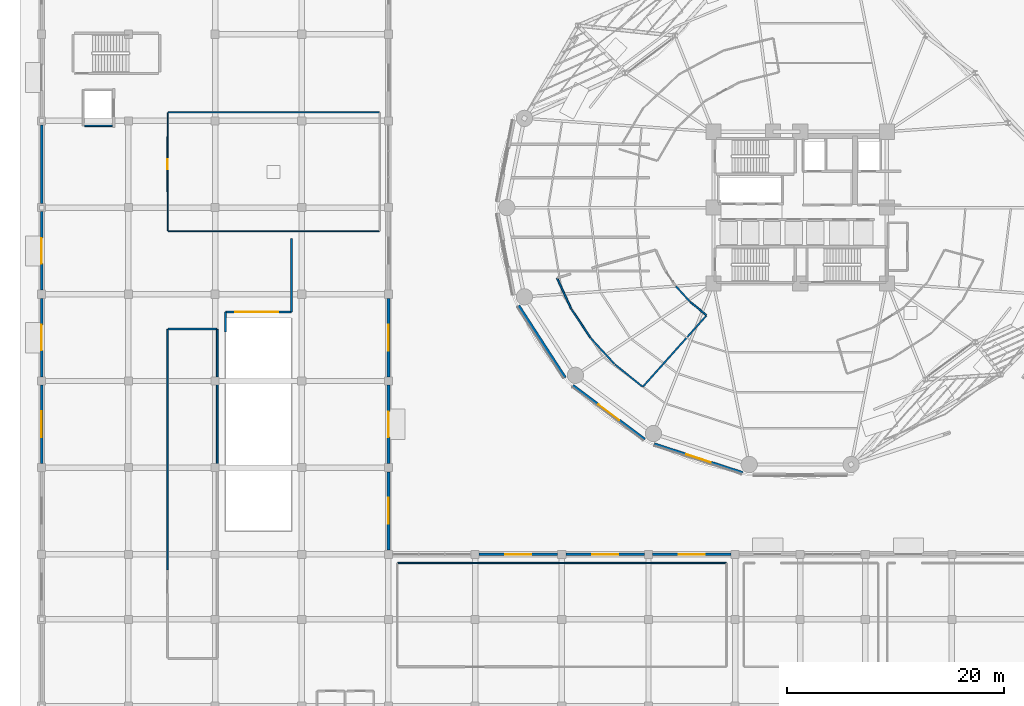
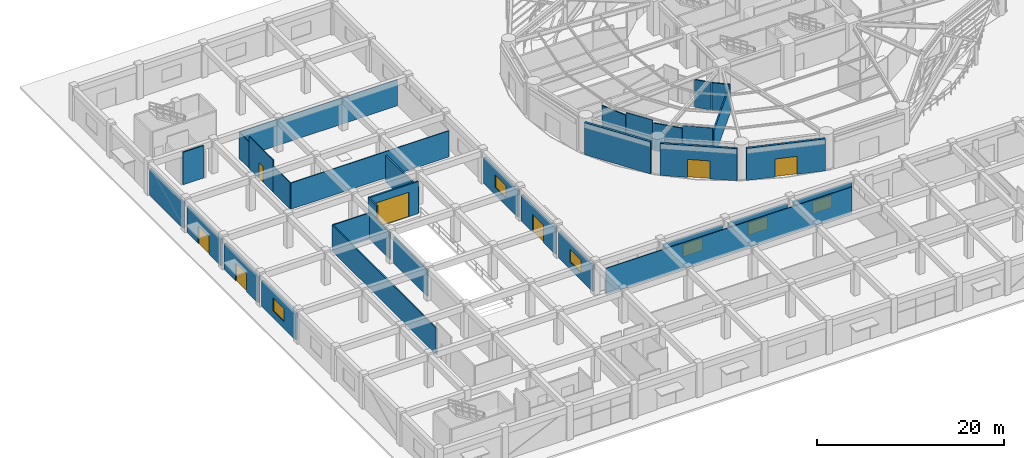
# One storey, part 27 of 40: 34 walls, 7 doors, 6 windows, 13 openings.
"""IFC4 building model written with IfcOpenShell, lengths in metres."""

from ifc_helpers import new_model, si_unit, direction, frame, frame_2d, origin, place, context, subcontext, project, spatial, rectangle, extrude, material, layer, layer_set, type_object, element, fill, save


model = new_model("IFC4")

# Units and contexts
model_context = context("Model", 3, precision=1e-05, world=origin(), true_north=direction((0.0, 1.0)))
body_context = subcontext(model_context, "Body", "Model", "MODEL_VIEW")
ifc_project = project(units=[si_unit("LENGTHUNIT", "METRE"), si_unit("AREAUNIT", "SQUARE_METRE"), si_unit("VOLUMEUNIT", "CUBIC_METRE"), si_unit("PLANEANGLEUNIT", "RADIAN"), si_unit("MASSUNIT", "GRAM", prefix="KILO")], contexts=[model_context])

# Site, building, storey
site_placement = place(None, origin())
site = spatial("IfcSite", under=ifc_project, at=site_placement, CompositionType="ELEMENT")
building_placement = place(site_placement, origin())
building = spatial("IfcBuilding", under=site, at=building_placement, Name="Kelanora Arch Commons", CompositionType="ELEMENT")
storey_placement = place(building_placement, origin())
storey = spatial("IfcBuildingStorey", under=building, at=storey_placement, Name="L00", CompositionType="ELEMENT", Elevation=0.0)

# Walls
ifc_material_1 = material(Name="Autoclaved aerated concrete blockwork with fire plaster", Category="masonry")
ifc_layer_1 = layer(ifc_material_1, 0.14990234375)
ifc_layer_set_1 = layer_set([ifc_layer_1], Name="Autoclaved aerated concrete blockwork with fire plaster")
wall_type_1 = type_object("IfcWallType", Name="W-COMP-150", PredefinedType="PARTITIONING", material=ifc_layer_set_1)
wall_1_placement = place(storey_placement, frame((7.9599609375, 65.5400390625, 0.0), z_axis=(0.0, 0.0, 1.0), x_axis=(1.0, 0.0, 0.0)))
element("IfcWall", 1, at=wall_1_placement, inside=storey, type_object=wall_type_1, Name="Market West Lift Shaft South Wall L00", PredefinedType="PARTITIONING", context=body_context, shape_type="SweptSolid", body=[
    extrude(rectangle(XDim=2.56005859375, YDim=0.14990234375, at=frame_2d((1.280029296875, 0.0))), origin(), (0.0, 0.0, 1.0), 4.22998046875),
])
wall_2_placement = place(storey_placement, frame((20.199951171875, 34.346435546875, 0.0), z_axis=(0.0, 0.0, 1.0), x_axis=(0.0, 1.0, 0.0)))
element("IfcWall", 2, at=wall_2_placement, inside=storey, type_object=wall_type_1, Name="Market Cold Storage and Refuse Marshalling Enclosure Partition 2", PredefinedType="PARTITIONING", context=body_context, shape_type="SweptSolid", body=[
    extrude(rectangle(XDim=7.30712890625, YDim=0.14990234375, at=frame_2d((3.653564453125, 0.0))), origin(), (0.0, 0.0, 1.0), 3.425048828125),
])
wall_3_placement = place(storey_placement, frame((20.199951171875, 42.346435546875, 0.0), z_axis=(0.0, 0.0, 1.0), x_axis=(0.0, 1.0, 0.0)))
element("IfcWall", 3, at=wall_3_placement, inside=storey, type_object=wall_type_1, Name="Market Cold Storage and Refuse Marshalling Enclosure Partition 2", PredefinedType="PARTITIONING", context=body_context, shape_type="SweptSolid", body=[
    extrude(rectangle(XDim=4.41357421875, YDim=0.14990234375, at=frame_2d((2.206787109375, 0.0))), origin(), (0.0, 0.0, 1.0), 3.425048828125),
])
wall_4_placement = place(storey_placement, frame((20.159912109375, 46.800048828125, 0.0), z_axis=(0.0, 0.0, 1.0), x_axis=(-1.0, 0.0, 0.0)))
element("IfcWall", 4, at=wall_4_placement, inside=storey, type_object=wall_type_1, Name="Market Cold Storage and Refuse Marshalling Enclosure Partition 3", PredefinedType="PARTITIONING", context=body_context, shape_type="SweptSolid", body=[
    extrude(rectangle(XDim=4.5, YDim=0.14990234375, at=frame_2d((2.25, 0.0))), origin(), (0.0, 0.0, 1.0), 3.425048828125),
])
wall_5_placement = place(storey_placement, frame((15.6201171875, 46.760009765625, 0.0), z_axis=(0.0, 0.0, 1.0), x_axis=(0.0, -1.0, 0.0)))
element("IfcWall", 5, at=wall_5_placement, inside=storey, type_object=wall_type_1, Name="Market Cold Storage and Refuse Marshalling Enclosure Partition 4", PredefinedType="PARTITIONING", context=body_context, shape_type="SweptSolid", body=[
    extrude(rectangle(XDim=22.219970703125, YDim=0.14990234375, at=frame_2d((11.10986328125, 0.0))), origin(), (0.0, 0.0, 1.0), 3.425048828125),
])
wall_6_placement = place(storey_placement, frame((62.5419921875, 50.7314453125, 0.0), z_axis=(0.0, 0.0, 1.0), x_axis=(0.672186822345, -0.740381574505, 0.0)))
element("IfcWall", 6, at=wall_6_placement, inside=storey, type_object=wall_type_1, Name="Fire Command Centre Enclosure Partition 3", PredefinedType="PARTITIONING", context=body_context, shape_type="SweptSolid", body=[
    extrude(rectangle(XDim=1.8759765625, YDim=0.14990234375, at=frame_2d((0.93798828125, 0.0))), origin(), (0.0, 0.0, 1.0), 3.5849609375),
])
wall_7_placement = place(storey_placement, frame((63.861083984375, 49.28759765625, 0.0), z_axis=(0.0, 0.0, 1.0), x_axis=(0.774014344512, -0.633168061805, 0.0)))
element("IfcWall", 7, at=wall_7_placement, inside=storey, type_object=wall_type_1, Name="Fire Command Centre Enclosure Partition 4", PredefinedType="PARTITIONING", context=body_context, shape_type="SweptSolid", body=[
    extrude(rectangle(XDim=1.90673828125, YDim=0.14990234375, at=frame_2d((0.953369140625, 0.0))), origin(), (0.0, 0.0, 1.0), 3.5849609375),
])
wall_8_placement = place(storey_placement, frame((65.34130859375, 48.025146484375, 0.0), z_axis=(0.0, 0.0, 1.0), x_axis=(-0.666165058958, -0.745804340443, 0.0)))
element("IfcWall", 8, at=wall_8_placement, inside=storey, type_object=wall_type_1, Name="Fire Command Centre Enclosure Partition 5", PredefinedType="PARTITIONING", context=body_context, shape_type="SweptSolid", body=[
    extrude(rectangle(XDim=8.773681640625, YDim=0.14990234375, at=frame_2d((4.38671875, 0.0))), origin(), (0.0, 0.0, 1.0), 3.5849609375),
])
wall_9_placement = place(storey_placement, frame((59.43896484375, 41.47705078125, 0.0), z_axis=(0.0, 0.0, 1.0), x_axis=(-0.777633153215, 0.628718282715, 0.0)))
element("IfcWall", 9, at=wall_9_placement, inside=storey, type_object=wall_type_1, Name="Fire Command Centre Enclosure Partition 6", PredefinedType="PARTITIONING", context=body_context, shape_type="SweptSolid", body=[
    extrude(rectangle(XDim=3.24951171875, YDim=0.14990234375, at=frame_2d((1.624755859375, 0.0))), origin(), (0.0, 0.0, 1.0), 3.945068359375),
])
wall_10_placement = place(storey_placement, frame((56.85400390625, 43.574462890625, 0.0), z_axis=(0.0, 0.0, 1.0), x_axis=(-0.676368587388, 0.736563326534, 0.0)))
element("IfcWall", 10, at=wall_10_placement, inside=storey, type_object=wall_type_1, Name="Fire Command Centre Enclosure Partition 7", PredefinedType="PARTITIONING", context=body_context, shape_type="SweptSolid", body=[
    extrude(rectangle(XDim=3.19189453125, YDim=0.14990234375, at=frame_2d((1.595947265625, 0.0))), origin(), (0.0, 0.0, 1.0), 3.5849609375),
])
wall_11_placement = place(storey_placement, frame((54.645751953125, 45.98828125, 0.0), z_axis=(0.0, 0.0, 1.0), x_axis=(-0.555741260271, 0.8313553101, 0.0)))
element("IfcWall", 11, at=wall_11_placement, inside=storey, type_object=wall_type_1, Name="Fire Command Centre Enclosure Partition 8", PredefinedType="PARTITIONING", context=body_context, shape_type="SweptSolid", body=[
    extrude(rectangle(XDim=3.137451171875, YDim=0.14990234375, at=frame_2d((1.56884765625, 0.0))), origin(), (0.0, 0.0, 1.0), 3.945068359375),
])
wall_12_placement = place(storey_placement, frame((52.86328125, 48.666259765625, 0.0), z_axis=(0.0, 0.0, 1.0), x_axis=(-0.417815646307, 0.908531829768, 0.0)))
element("IfcWall", 12, at=wall_12_placement, inside=storey, type_object=wall_type_1, Name="Fire Command Centre Enclosure Partition 9", PredefinedType="PARTITIONING", context=body_context, shape_type="SweptSolid", body=[
    extrude(rectangle(XDim=3.091064453125, YDim=0.14990234375, at=frame_2d((1.54541015625, 0.0))), origin(), (0.0, 0.0, 1.0), 3.5849609375),
])

# Wall, opening, window
ifc_material_2 = material(Name="Precast concrete C40/50 with terracotta ceramic cladding", Category="masonry")
ifc_layer_2 = layer(ifc_material_2, 0.25)
ifc_layer_set_2 = layer_set([ifc_layer_2], Name="Precast concrete C40/50 with terracotta ceramic cladding")
wall_type_2 = type_object("IfcWallType", Name="W-EXT-MKT", PredefinedType="SOLIDWALL", material=ifc_layer_set_2)
wall_13_placement = place(storey_placement, frame((67.6201171875, 26.0, 0.0), z_axis=(0.0, 0.0, 1.0), x_axis=(-1.0, 0.0, 0.0)))
wall_13 = element("IfcWall", 13, at=wall_13_placement, inside=storey, type_object=wall_type_2, Name="Market Hall Exterior Wall L00-19", PredefinedType="SOLIDWALL", context=body_context, shape_type="SweptSolid", body=[
    extrude(rectangle(XDim=7.240234375, YDim=0.25, at=frame_2d((3.6201171875, 0.0))), origin(), (0.0, 0.0, 1.0), 3.419921875),
])
opening_1_placement = place(wall_13_placement, frame((2.419921875, 0.0, 0.949951171875)))
opening_1 = element("IfcOpeningElement", 14, at=opening_1_placement, cuts=wall_13, Name="Opening WN-03", PredefinedType="OPENING", context=body_context, shape_type="SweptSolid", body=[
    extrude(rectangle(XDim=2.39990234375, YDim=1.64990234375, at=frame_2d((1.199951171875, 0.824951171875))), frame((0.0, 0.135009765625, 0.0), z_axis=(0.0, -1.0, 0.0), x_axis=(1.0, 0.0, 0.0)), (0.0, 0.0, 1.0), 0.27001953125),
])
ifc_material_3 = material(Name="Bronze-terracotta aluminium monsoon clerestory window", Category="masonry")
window_type = type_object("IfcWindowType", Name="WIN-MKT-24", PartitioningType="TRIPLE_PANEL_VERTICAL", PredefinedType="WINDOW", material=ifc_material_3)
window_1_placement = place(opening_1_placement, origin())
window_1 = element("IfcWindow", 15, at=window_1_placement, inside=storey, type_object=window_type, Name="Market Hall Clerestory Window L00-19", OverallHeight=1.64990234375, OverallWidth=2.39990234375, PartitioningType="SINGLE_PANEL", PredefinedType="WINDOW", context=body_context, shape_type="SweptSolid", body=[
    extrude(rectangle(XDim=2.39990234375, YDim=1.64990234375, at=frame_2d((1.199951171875, 0.824951171875))), frame((0.0, 0.030029296875, 0.0), z_axis=(0.0, -1.0, 0.0), x_axis=(1.0, 0.0, 0.0)), (0.0, 0.0, 1.0), 0.06005859375),
])
fill(opening_1, window_1)

wall_14_placement = place(storey_placement, frame((59.6201171875, 26.0, 0.0), z_axis=(0.0, 0.0, 1.0), x_axis=(-1.0, 0.0, 0.0)))
wall_14 = element("IfcWall", 16, at=wall_14_placement, inside=storey, type_object=wall_type_2, Name="Market Hall Exterior Wall L00-20", PredefinedType="SOLIDWALL", context=body_context, shape_type="SweptSolid", body=[
    extrude(rectangle(XDim=7.240234375, YDim=0.25, at=frame_2d((3.6201171875, 0.0))), origin(), (0.0, 0.0, 1.0), 3.419921875),
])
opening_2_placement = place(wall_14_placement, frame((2.419921875, 0.0, 0.949951171875)))
opening_2 = element("IfcOpeningElement", 17, at=opening_2_placement, cuts=wall_14, Name="Opening WN-03", PredefinedType="OPENING", context=body_context, shape_type="SweptSolid", body=[
    extrude(rectangle(XDim=2.39990234375, YDim=1.64990234375, at=frame_2d((1.199951171875, 0.824951171875))), frame((0.0, 0.135009765625, 0.0), z_axis=(0.0, -1.0, 0.0), x_axis=(1.0, 0.0, 0.0)), (0.0, 0.0, 1.0), 0.27001953125),
])
window_2_placement = place(opening_2_placement, origin())
window_2 = element("IfcWindow", 18, at=window_2_placement, inside=storey, type_object=window_type, Name="Market Hall Clerestory Window L00-20", OverallHeight=1.64990234375, OverallWidth=2.39990234375, PartitioningType="SINGLE_PANEL", PredefinedType="WINDOW", context=body_context, shape_type="SweptSolid", body=[
    extrude(rectangle(XDim=2.39990234375, YDim=1.64990234375, at=frame_2d((1.199951171875, 0.824951171875))), frame((0.0, 0.030029296875, 0.0), z_axis=(0.0, -1.0, 0.0), x_axis=(1.0, 0.0, 0.0)), (0.0, 0.0, 1.0), 0.06005859375),
])
fill(opening_2, window_2)

wall_15_placement = place(storey_placement, frame((51.6201171875, 26.0, 0.0), z_axis=(0.0, 0.0, 1.0), x_axis=(-1.0, 0.0, 0.0)))
wall_15 = element("IfcWall", 19, at=wall_15_placement, inside=storey, type_object=wall_type_2, Name="Market Hall Exterior Wall L00-21", PredefinedType="SOLIDWALL", context=body_context, shape_type="SweptSolid", body=[
    extrude(rectangle(XDim=7.240234375, YDim=0.25, at=frame_2d((3.6201171875, 0.0))), origin(), (0.0, 0.0, 1.0), 3.419921875),
])
opening_3_placement = place(wall_15_placement, frame((2.419921875, 0.0, 0.949951171875)))
opening_3 = element("IfcOpeningElement", 20, at=opening_3_placement, cuts=wall_15, Name="Opening WN-03", PredefinedType="OPENING", context=body_context, shape_type="SweptSolid", body=[
    extrude(rectangle(XDim=2.39990234375, YDim=1.64990234375, at=frame_2d((1.199951171875, 0.824951171875))), frame((0.0, 0.135009765625, 0.0), z_axis=(0.0, -1.0, 0.0), x_axis=(1.0, 0.0, 0.0)), (0.0, 0.0, 1.0), 0.27001953125),
])
window_3_placement = place(opening_3_placement, origin())
window_3 = element("IfcWindow", 21, at=window_3_placement, inside=storey, type_object=window_type, Name="Market Hall Clerestory Window L00-21", OverallHeight=1.64990234375, OverallWidth=2.39990234375, PartitioningType="SINGLE_PANEL", PredefinedType="WINDOW", context=body_context, shape_type="SweptSolid", body=[
    extrude(rectangle(XDim=2.39990234375, YDim=1.64990234375, at=frame_2d((1.199951171875, 0.824951171875))), frame((0.0, 0.030029296875, 0.0), z_axis=(0.0, -1.0, 0.0), x_axis=(1.0, 0.0, 0.0)), (0.0, 0.0, 1.0), 0.06005859375),
])
fill(opening_3, window_3)

wall_16_placement = place(storey_placement, frame((36.0, 26.3798828125, 0.0), z_axis=(0.0, 0.0, 1.0), x_axis=(0.0, 1.0, 0.0)))
wall_16 = element("IfcWall", 22, at=wall_16_placement, inside=storey, type_object=wall_type_2, Name="Market Hall Exterior Wall L00-23", PredefinedType="SOLIDWALL", context=body_context, shape_type="SweptSolid", body=[
    extrude(rectangle(XDim=7.240234375, YDim=0.25, at=frame_2d((3.6201171875, 0.0))), origin(), (0.0, 0.0, 1.0), 3.419921875),
])
opening_4_placement = place(wall_16_placement, frame((2.419921875, 0.0, 0.949951171875)))
opening_4 = element("IfcOpeningElement", 23, at=opening_4_placement, cuts=wall_16, Name="Opening WN-03", PredefinedType="OPENING", context=body_context, shape_type="SweptSolid", body=[
    extrude(rectangle(XDim=2.39990234375, YDim=1.64990234375, at=frame_2d((1.199951171875, 0.824951171875))), frame((0.0, 0.135009765625, 0.0), z_axis=(0.0, -1.0, 0.0), x_axis=(1.0, 0.0, 0.0)), (0.0, 0.0, 1.0), 0.27001953125),
])
window_4_placement = place(opening_4_placement, origin())
window_4 = element("IfcWindow", 24, at=window_4_placement, inside=storey, type_object=window_type, Name="Market Hall Clerestory Window L00-23", OverallHeight=1.64990234375, OverallWidth=2.39990234375, PartitioningType="SINGLE_PANEL", PredefinedType="WINDOW", context=body_context, shape_type="SweptSolid", body=[
    extrude(rectangle(XDim=2.39990234375, YDim=1.64990234375, at=frame_2d((1.199951171875, 0.824951171875))), frame((0.0, 0.030029296875, 0.0), z_axis=(0.0, -1.0, 0.0), x_axis=(1.0, 0.0, 0.0)), (0.0, 0.0, 1.0), 0.06005859375),
])
fill(opening_4, window_4)

# Wall, opening, door
wall_17_placement = place(storey_placement, frame((36.0, 34.3798828125, 0.0), z_axis=(0.0, 0.0, 1.0), x_axis=(0.0, 1.0, 0.0)))
wall_17 = element("IfcWall", 25, at=wall_17_placement, inside=storey, type_object=wall_type_2, Name="Market Hall Exterior Wall L00-24", PredefinedType="SOLIDWALL", context=body_context, shape_type="SweptSolid", body=[
    extrude(rectangle(XDim=7.240234375, YDim=0.25, at=frame_2d((3.6201171875, 0.0))), origin(), (0.0, 0.0, 1.0), 3.419921875),
])
opening_5_placement = place(wall_17_placement, frame((2.445068359375, 0.0, 0.0)))
opening_5 = element("IfcOpeningElement", 26, at=opening_5_placement, cuts=wall_17, Name="Opening DX-02", PredefinedType="OPENING", context=body_context, shape_type="SweptSolid", body=[
    extrude(rectangle(XDim=2.35009765625, YDim=2.300048828125, at=frame_2d((1.175048828125, 1.14990234375))), frame((0.0, 0.135009765625, 0.0), z_axis=(0.0, -1.0, 0.0), x_axis=(1.0, 0.0, 0.0)), (0.0, 0.0, 1.0), 0.27001953125),
])
ifc_material_4 = material(Name="Powder-coated aluminium glazed double escape door", Category="aluminium")
door_type_1 = type_object("IfcDoorType", Name="D-EXIT-20", OperationType="NOTDEFINED", PredefinedType="DOOR", material=ifc_material_4)
door_1_placement = place(opening_5_placement, frame((2.35009765625, 0.0, 0.0), z_axis=(0.0, 0.0, 1.0), x_axis=(-1.0, 0.0, 0.0)))
door_1 = element("IfcDoor", 27, at=door_1_placement, inside=storey, type_object=door_type_1, Name="Market Hall Pedestrian Exit Door 24", OperationType="DOUBLE_DOOR_SINGLE_SWING", OverallHeight=2.300048828125, OverallWidth=2.35009765625, PredefinedType="DOOR", context=body_context, shape_type="SweptSolid", body=[
    extrude(rectangle(XDim=2.35009765625, YDim=2.300048828125, at=frame_2d((1.175048828125, 1.14990234375))), frame((0.0, 0.02490234375, 0.0), z_axis=(0.0, -1.0, 0.0), x_axis=(1.0, 0.0, 0.0)), (0.0, 0.0, 1.0), 0.050048828125),
])
fill(opening_5, door_1)

# Wall, opening, window
wall_18_placement = place(storey_placement, frame((36.0, 42.3798828125, 0.0), z_axis=(0.0, 0.0, 1.0), x_axis=(0.0, 1.0, 0.0)))
wall_18 = element("IfcWall", 28, at=wall_18_placement, inside=storey, type_object=wall_type_2, Name="Market Hall Exterior Wall L00-25", PredefinedType="SOLIDWALL", context=body_context, shape_type="SweptSolid", body=[
    extrude(rectangle(XDim=7.240234375, YDim=0.25, at=frame_2d((3.6201171875, 0.0))), origin(), (0.0, 0.0, 1.0), 3.419921875),
])
opening_6_placement = place(wall_18_placement, frame((2.419921875, 0.0, 0.949951171875)))
opening_6 = element("IfcOpeningElement", 29, at=opening_6_placement, cuts=wall_18, Name="Opening WN-03", PredefinedType="OPENING", context=body_context, shape_type="SweptSolid", body=[
    extrude(rectangle(XDim=2.39990234375, YDim=1.64990234375, at=frame_2d((1.199951171875, 0.824951171875))), frame((0.0, 0.135009765625, 0.0), z_axis=(0.0, -1.0, 0.0), x_axis=(1.0, 0.0, 0.0)), (0.0, 0.0, 1.0), 0.27001953125),
])
window_5_placement = place(opening_6_placement, origin())
window_5 = element("IfcWindow", 30, at=window_5_placement, inside=storey, type_object=window_type, Name="Market Hall Clerestory Window L00-25", OverallHeight=1.64990234375, OverallWidth=2.39990234375, PartitioningType="SINGLE_PANEL", PredefinedType="WINDOW", context=body_context, shape_type="SweptSolid", body=[
    extrude(rectangle(XDim=2.39990234375, YDim=1.64990234375, at=frame_2d((1.199951171875, 0.824951171875))), frame((0.0, 0.030029296875, 0.0), z_axis=(0.0, -1.0, 0.0), x_axis=(1.0, 0.0, 0.0)), (0.0, 0.0, 1.0), 0.06005859375),
])
fill(opening_6, window_5)

# Wall
wall_19_placement = place(storey_placement, frame((4.0, 65.6201171875, 0.0), z_axis=(0.0, 0.0, 1.0), x_axis=(0.0, -1.0, 0.0)))
element("IfcWall", 31, at=wall_19_placement, inside=storey, type_object=wall_type_2, Name="Market Hall Exterior Wall L00-36", PredefinedType="SOLIDWALL", context=body_context, shape_type="SweptSolid", body=[
    extrude(rectangle(XDim=7.240234375, YDim=0.25, at=frame_2d((3.6201171875, 0.0))), origin(), (0.0, 0.0, 1.0), 3.419921875),
])

# Wall, opening, door
wall_20_placement = place(storey_placement, frame((4.0, 57.6201171875, 0.0), z_axis=(0.0, 0.0, 1.0), x_axis=(0.0, -1.0, 0.0)))
wall_20 = element("IfcWall", 32, at=wall_20_placement, inside=storey, type_object=wall_type_2, Name="Market Hall Exterior Wall L00-37", PredefinedType="SOLIDWALL", context=body_context, shape_type="SweptSolid", body=[
    extrude(rectangle(XDim=7.240234375, YDim=0.25, at=frame_2d((3.6201171875, 0.0))), origin(), (0.0, 0.0, 1.0), 3.419921875),
])
opening_7_placement = place(wall_20_placement, frame((2.445068359375, 0.0, 0.0)))
opening_7 = element("IfcOpeningElement", 33, at=opening_7_placement, cuts=wall_20, Name="Opening DX-02", PredefinedType="OPENING", context=body_context, shape_type="SweptSolid", body=[
    extrude(rectangle(XDim=2.35009765625, YDim=2.300048828125, at=frame_2d((1.175048828125, 1.14990234375))), frame((0.0, 0.135009765625, 0.0), z_axis=(0.0, -1.0, 0.0), x_axis=(1.0, 0.0, 0.0)), (0.0, 0.0, 1.0), 0.27001953125),
])
door_2_placement = place(opening_7_placement, frame((2.35009765625, 0.0, 0.0), z_axis=(0.0, 0.0, 1.0), x_axis=(-1.0, 0.0, 0.0)))
door_2 = element("IfcDoor", 34, at=door_2_placement, inside=storey, type_object=door_type_1, Name="Market Hall Pedestrian Exit Door 37", OperationType="DOUBLE_DOOR_SINGLE_SWING", OverallHeight=2.300048828125, OverallWidth=2.35009765625, PredefinedType="DOOR", context=body_context, shape_type="SweptSolid", body=[
    extrude(rectangle(XDim=2.35009765625, YDim=2.300048828125, at=frame_2d((1.175048828125, 1.14990234375))), frame((0.0, 0.02490234375, 0.0), z_axis=(0.0, -1.0, 0.0), x_axis=(1.0, 0.0, 0.0)), (0.0, 0.0, 1.0), 0.050048828125),
])
fill(opening_7, door_2)

wall_21_placement = place(storey_placement, frame((4.0, 49.6201171875, 0.0), z_axis=(0.0, 0.0, 1.0), x_axis=(0.0, -1.0, 0.0)))
wall_21 = element("IfcWall", 35, at=wall_21_placement, inside=storey, type_object=wall_type_2, Name="Market Hall Exterior Wall L00-38", PredefinedType="SOLIDWALL", context=body_context, shape_type="SweptSolid", body=[
    extrude(rectangle(XDim=7.240234375, YDim=0.25, at=frame_2d((3.6201171875, 0.0))), origin(), (0.0, 0.0, 1.0), 3.419921875),
])
opening_8_placement = place(wall_21_placement, frame((2.445068359375, 0.0, 0.0)))
opening_8 = element("IfcOpeningElement", 36, at=opening_8_placement, cuts=wall_21, Name="Opening DX-02", PredefinedType="OPENING", context=body_context, shape_type="SweptSolid", body=[
    extrude(rectangle(XDim=2.35009765625, YDim=2.300048828125, at=frame_2d((1.175048828125, 1.14990234375))), frame((0.0, 0.135009765625, 0.0), z_axis=(0.0, -1.0, 0.0), x_axis=(1.0, 0.0, 0.0)), (0.0, 0.0, 1.0), 0.27001953125),
])
door_3_placement = place(opening_8_placement, frame((2.35009765625, 0.0, 0.0), z_axis=(0.0, 0.0, 1.0), x_axis=(-1.0, 0.0, 0.0)))
door_3 = element("IfcDoor", 37, at=door_3_placement, inside=storey, type_object=door_type_1, Name="Market Hall Pedestrian Exit Door 38", OperationType="DOUBLE_DOOR_SINGLE_SWING", OverallHeight=2.300048828125, OverallWidth=2.35009765625, PredefinedType="DOOR", context=body_context, shape_type="SweptSolid", body=[
    extrude(rectangle(XDim=2.35009765625, YDim=2.300048828125, at=frame_2d((1.175048828125, 1.14990234375))), frame((0.0, 0.02490234375, 0.0), z_axis=(0.0, -1.0, 0.0), x_axis=(1.0, 0.0, 0.0)), (0.0, 0.0, 1.0), 0.050048828125),
])
fill(opening_8, door_3)

# Wall, opening, window
wall_22_placement = place(storey_placement, frame((4.0, 41.6201171875, 0.0), z_axis=(0.0, 0.0, 1.0), x_axis=(0.0, -1.0, 0.0)))
wall_22 = element("IfcWall", 38, at=wall_22_placement, inside=storey, type_object=wall_type_2, Name="Market Hall Exterior Wall L00-39", PredefinedType="SOLIDWALL", context=body_context, shape_type="SweptSolid", body=[
    extrude(rectangle(XDim=7.240234375, YDim=0.25, at=frame_2d((3.6201171875, 0.0))), origin(), (0.0, 0.0, 1.0), 3.419921875),
])
opening_9_placement = place(wall_22_placement, frame((2.419921875, 0.0, 0.949951171875)))
opening_9 = element("IfcOpeningElement", 39, at=opening_9_placement, cuts=wall_22, Name="Opening WN-03", PredefinedType="OPENING", context=body_context, shape_type="SweptSolid", body=[
    extrude(rectangle(XDim=2.39990234375, YDim=1.64990234375, at=frame_2d((1.199951171875, 0.824951171875))), frame((0.0, 0.135009765625, 0.0), z_axis=(0.0, -1.0, 0.0), x_axis=(1.0, 0.0, 0.0)), (0.0, 0.0, 1.0), 0.27001953125),
])
window_6_placement = place(opening_9_placement, origin())
window_6 = element("IfcWindow", 40, at=window_6_placement, inside=storey, type_object=window_type, Name="Market Hall Clerestory Window L00-39", OverallHeight=1.64990234375, OverallWidth=2.39990234375, PartitioningType="SINGLE_PANEL", PredefinedType="WINDOW", context=body_context, shape_type="SweptSolid", body=[
    extrude(rectangle(XDim=2.39990234375, YDim=1.64990234375, at=frame_2d((1.199951171875, 0.824951171875))), frame((0.0, 0.030029296875, 0.0), z_axis=(0.0, -1.0, 0.0), x_axis=(1.0, 0.0, 0.0)), (0.0, 0.0, 1.0), 0.06005859375),
])
fill(opening_9, window_6)

# Wall
ifc_material_5 = material(Name="Precast concrete C40/50 with terracotta rainscreen", Category="masonry")
ifc_layer_3 = layer(ifc_material_5, 0.260009765625)
ifc_layer_set_3 = layer_set([ifc_layer_3], Name="Precast concrete C40/50 with terracotta rainscreen")
wall_type_3 = type_object("IfcWallType", Name="W-EXT-TC", PredefinedType="SOLIDWALL", material=ifc_layer_set_3)
wall_23_placement = place(storey_placement, frame((48.000732421875, 48.966796875, 0.0), z_axis=(0.0, 0.0, 1.0), x_axis=(0.543005114258, -0.839729388488, 0.0)))
element("IfcWall", 41, at=wall_23_placement, inside=storey, type_object=wall_type_3, Name="Terracotta Exterior Wall L00-B10", PredefinedType="SOLIDWALL", context=body_context, shape_type="SweptSolid", body=[
    extrude(rectangle(XDim=7.9375, YDim=0.260009765625, at=frame_2d((3.96875, 0.0))), origin(), (0.0, 0.0, 1.0), 4.18505859375),
])

# Wall, opening, door
wall_24_placement = place(storey_placement, frame((53.01611328125, 41.581787109375, 0.0), z_axis=(0.0, 0.0, 1.0), x_axis=(0.80030733173, -0.599590005569, 0.0)))
wall_24 = element("IfcWall", 42, at=wall_24_placement, inside=storey, type_object=wall_type_3, Name="Terracotta Exterior Wall L00-B11", PredefinedType="SOLIDWALL", context=body_context, shape_type="SweptSolid", body=[
    extrude(rectangle(XDim=8.29052734375, YDim=0.260009765625, at=frame_2d((4.145263671875, 0.0))), origin(), (0.0, 0.0, 1.0), 4.18505859375),
])
opening_10_placement = place(wall_24_placement, frame((2.945068359375, 0.0, 0.0)))
opening_10 = element("IfcOpeningElement", 43, at=opening_10_placement, cuts=wall_24, Name="Opening DX-01", PredefinedType="OPENING", context=body_context, shape_type="SweptSolid", body=[
    extrude(rectangle(XDim=2.39990234375, YDim=2.35009765625, at=frame_2d((1.199951171875, 1.175048828125))), frame((0.0, 0.14013671875, 0.0), z_axis=(0.0, -1.0, 0.0), x_axis=(1.0, 0.0, 0.0)), (0.0, 0.0, 1.0), 0.280029296875),
])
door_type_2 = type_object("IfcDoorType", Name="D-EXIT-22", OperationType="NOTDEFINED", PredefinedType="DOOR", material=ifc_material_4)
door_4_placement = place(opening_10_placement, frame((2.39990234375, 0.0, 0.0), z_axis=(0.0, 0.0, 1.0), x_axis=(-1.0, 0.0, 0.0)))
door_4 = element("IfcDoor", 44, at=door_4_placement, inside=storey, type_object=door_type_2, Name="Tower Ground Pedestrian Exit Door T11", OperationType="DOUBLE_DOOR_SINGLE_SWING", OverallHeight=2.35009765625, OverallWidth=2.39990234375, PredefinedType="DOOR", context=body_context, shape_type="SweptSolid", body=[
    extrude(rectangle(XDim=2.39990234375, YDim=2.35009765625, at=frame_2d((1.199951171875, 1.175048828125))), frame((0.0, 0.02490234375, 0.0), z_axis=(0.0, -1.0, 0.0), x_axis=(1.0, 0.0, 0.0)), (0.0, 0.0, 1.0), 0.050048828125),
])
fill(opening_10, door_4)

wall_25_placement = place(storey_placement, frame((60.5263671875, 36.178466796875, 0.0), z_axis=(0.0, 0.0, 1.0), x_axis=(0.951039914291, -0.309068085421, 0.0)))
wall_25 = element("IfcWall", 45, at=wall_25_placement, inside=storey, type_object=wall_type_3, Name="Terracotta Exterior Wall L00-B12", PredefinedType="SOLIDWALL", context=body_context, shape_type="SweptSolid", body=[
    extrude(rectangle(XDim=8.593505859375, YDim=0.260009765625, at=frame_2d((4.296875, 0.0))), origin(), (0.0, 0.0, 1.0), 4.18505859375),
])
opening_11_placement = place(wall_25_placement, frame((3.096923828125, 0.0, 0.0)))
opening_11 = element("IfcOpeningElement", 46, at=opening_11_placement, cuts=wall_25, Name="Opening DX-01", PredefinedType="OPENING", context=body_context, shape_type="SweptSolid", body=[
    extrude(rectangle(XDim=2.39990234375, YDim=2.35009765625, at=frame_2d((1.199951171875, 1.175048828125))), frame((0.0, 0.14013671875, 0.0), z_axis=(0.0, -1.0, 0.0), x_axis=(1.0, 0.0, 0.0)), (0.0, 0.0, 1.0), 0.280029296875),
])
door_5_placement = place(opening_11_placement, frame((2.39990234375, 0.0, 0.0), z_axis=(0.0, 0.0, 1.0), x_axis=(-1.0, 0.0, 0.0)))
door_5 = element("IfcDoor", 47, at=door_5_placement, inside=storey, type_object=door_type_2, Name="Tower Ground Pedestrian Exit Door T12", OperationType="DOUBLE_DOOR_SINGLE_SWING", OverallHeight=2.35009765625, OverallWidth=2.39990234375, PredefinedType="DOOR", context=body_context, shape_type="SweptSolid", body=[
    extrude(rectangle(XDim=2.39990234375, YDim=2.35009765625, at=frame_2d((1.199951171875, 1.175048828125))), frame((0.0, 0.02490234375, 0.0), z_axis=(0.0, -1.0, 0.0), x_axis=(1.0, 0.0, 0.0)), (0.0, 0.0, 1.0), 0.050048828125),
])
fill(opening_11, door_5)

ifc_material_6 = material(Name="Concrete C40/50", Category="concrete")
ifc_layer_4 = layer(ifc_material_6, 0.199951171875)
ifc_layer_set_4 = layer_set([ifc_layer_4], Name="Concrete C40/50")
wall_type_4 = type_object("IfcWallType", Name="W-FFL-200", PredefinedType="SOLIDWALL", material=ifc_layer_set_4)
wall_26_placement = place(storey_placement, frame((20.949951171875, 48.35009765625, 0.0), z_axis=(0.0, 0.0, 1.0), x_axis=(1.0, 0.0, 0.0)))
wall_26 = element("IfcWall", 48, at=wall_26_placement, inside=storey, type_object=wall_type_4, Name="Basement Car Park Vehicle Ramp Entry Portal Wall L00", PredefinedType="SOLIDWALL", context=body_context, shape_type="SweptSolid", body=[
    extrude(rectangle(XDim=6.10009765625, YDim=0.199951171875, at=frame_2d((3.050048828125, 0.0))), origin(), (0.0, 0.0, 1.0), 4.18994140625),
])
opening_12_placement = place(wall_26_placement, frame((0.89990234375, 0.0, 0.0)))
opening_12 = element("IfcOpeningElement", 49, at=opening_12_placement, cuts=wall_26, Name="Opening DS-01", PredefinedType="OPENING", context=body_context, shape_type="SweptSolid", body=[
    extrude(rectangle(XDim=4.0, YDim=3.199951171875, at=frame_2d((2.0, 1.60009765625))), frame((0.0, 0.10986328125, 0.0), z_axis=(0.0, -1.0, 0.0), x_axis=(1.0, 0.0, 0.0)), (0.0, 0.0, 1.0), 0.219970703125),
])
ifc_material_7 = material(Name="Galvanised steel motorized HGV loading bay roller shutter", Category="steel")
door_type_3 = type_object("IfcDoorType", Name="D-SHUTTER-40", OperationType="NOTDEFINED", PredefinedType="GATE", material=ifc_material_7)
door_6_placement = place(opening_12_placement, frame((4.0, 0.0, 0.0), z_axis=(0.0, 0.0, 1.0), x_axis=(-1.0, 0.0, 0.0)))
door_6 = element("IfcDoor", 50, at=door_6_placement, inside=storey, type_object=door_type_3, Name="Basement Car Park Vehicle Entry Roller Shutter L00", OperationType="ROLLINGUP", OverallHeight=3.199951171875, OverallWidth=4.0, PredefinedType="GATE", context=body_context, shape_type="SweptSolid", body=[
    extrude(rectangle(XDim=4.0, YDim=3.199951171875, at=frame_2d((2.0, 1.60009765625))), frame((0.0, 0.02490234375, 0.0), z_axis=(0.0, -1.0, 0.0), x_axis=(1.0, 0.0, 0.0)), (0.0, 0.0, 1.0), 0.050048828125),
])
fill(opening_12, door_6)

# Walls
wall_27_placement = place(storey_placement, frame((20.949951171875, 48.35009765625, 0.0), z_axis=(0.0, 0.0, 1.0), x_axis=(0.0, -1.0, 0.0)))
element("IfcWall", 51, at=wall_27_placement, inside=storey, type_object=wall_type_4, Name="Basement Car Park Portal West Cheek Wall L00", PredefinedType="SOLIDWALL", context=body_context, shape_type="SweptSolid", body=[
    extrude(rectangle(XDim=1.85009765625, YDim=0.199951171875, at=frame_2d((0.925048828125, 0.0))), origin(), (0.0, 0.0, 1.0), 4.18994140625),
])
wall_28_placement = place(storey_placement, frame((27.050048828125, 48.35009765625, 0.0), z_axis=(0.0, 0.0, 1.0), x_axis=(0.0, 1.0, 0.0)))
element("IfcWall", 52, at=wall_28_placement, inside=storey, type_object=wall_type_4, Name="Basement Car Park Portal East Cheek Wall L00", PredefinedType="SOLIDWALL", context=body_context, shape_type="SweptSolid", body=[
    extrude(rectangle(XDim=6.7998046875, YDim=0.199951171875, at=frame_2d((3.39990234375, 0.0))), origin(), (0.0, 0.0, 1.0), 3.425048828125),
])
ifc_material_8 = material(Name="Lightweight fire-rated acoustic stud partition")
ifc_layer_5 = layer(ifc_material_8, 0.10009765625)
ifc_layer_set_5 = layer_set([ifc_layer_5], Name="Lightweight fire-rated acoustic stud partition")
wall_type_5 = type_object("IfcWallType", Name="W-PART-100", PredefinedType="PARTITIONING", material=ifc_layer_set_5)
wall_29_placement = place(storey_placement, frame((67.159912109375, 25.199951171875, 0.0), z_axis=(0.0, 0.0, 1.0), x_axis=(-1.0, 0.0, 0.0)))
element("IfcWall", 53, at=wall_29_placement, inside=storey, type_object=wall_type_5, Name="Main Civic Produce and Spice Market Hall Enclosure Partition 3", PredefinedType="PARTITIONING", context=body_context, shape_type="SweptSolid", body=[
    extrude(rectangle(XDim=30.31982421875, YDim=0.10009765625, at=frame_2d((15.159912109375, 0.0))), origin(), (0.0, 0.0, 1.0), 3.425048828125),
])
for number, where, z_axis, x_axis, name in (
    (54, (15.659912109375, 55.800048828125, 0.0), (0.0, 0.0, 1.0), (1.0, 0.0, 0.0), "Street Hawker and Tea Arcade Enclosure Partition 1"),
    (55, (35.159912109375, 66.800048828125, 0.0), (0.0, 0.0, 1.0), (-1.0, 0.0, 0.0), "Street Hawker and Tea Arcade Enclosure Partition 3"),
):
    element("IfcWall", number, at=place(storey_placement, frame(where, z_axis=z_axis, x_axis=x_axis)), inside=storey, type_object=wall_type_5, Name=name, PredefinedType="PARTITIONING", context=body_context, shape_type="SweptSolid", body=[
        extrude(rectangle(XDim=19.5, YDim=0.10009765625, at=frame_2d((9.75, 0.0))), origin(), (0.0, 0.0, 1.0), 3.425048828125),
    ])
wall_30_placement = place(storey_placement, frame((15.6201171875, 66.760009765625, 0.0), z_axis=(0.0, 0.0, 1.0), x_axis=(0.0, -1.0, 0.0)))
element("IfcWall", 56, at=wall_30_placement, inside=storey, type_object=wall_type_5, Name="Street Hawker and Tea Arcade Enclosure Partition 4", PredefinedType="PARTITIONING", context=body_context, shape_type="SweptSolid", body=[
    extrude(rectangle(XDim=2.219970703125, YDim=0.10009765625, at=frame_2d((1.10986328125, 0.0))), origin(), (0.0, 0.0, 1.0), 3.425048828125),
])
wall_31_placement = place(storey_placement, frame((15.6201171875, 59.4599609375, 0.0), z_axis=(0.0, 0.0, 1.0), x_axis=(0.0, -1.0, 0.0)))
element("IfcWall", 57, at=wall_31_placement, inside=storey, type_object=wall_type_5, Name="Street Hawker and Tea Arcade Enclosure Partition 4", PredefinedType="PARTITIONING", context=body_context, shape_type="SweptSolid", body=[
    extrude(rectangle(XDim=3.619873046875, YDim=0.10009765625, at=frame_2d((1.81005859375, 0.0))), origin(), (0.0, 0.0, 1.0), 3.425048828125),
])

# Wall, opening, door
ifc_material_9 = material(Name="Acoustic twin-stud fire-rated gypsum partition")
ifc_layer_6 = layer(ifc_material_9, 0.1201171875)
ifc_layer_set_6 = layer_set([ifc_layer_6], Name="Acoustic twin-stud fire-rated gypsum partition")
wall_type_6 = type_object("IfcWallType", Name="W-PART-120", PredefinedType="PARTITIONING", material=ifc_layer_set_6)
wall_32_placement = place(storey_placement, frame((15.6201171875, 59.4599609375, 0.0), z_axis=(0.0, 0.0, 1.0), x_axis=(0.0, 1.0, 0.0)))
wall_32 = element("IfcWall", 58, at=wall_32_placement, inside=storey, type_object=wall_type_6, Name="Street Hawker and Tea Arcade Entry Partition", PredefinedType="PARTITIONING", context=body_context, shape_type="SweptSolid", body=[
    extrude(rectangle(XDim=5.080078125, YDim=0.1201171875, at=frame_2d((2.5400390625, 0.0))), origin(), (0.0, 0.0, 1.0), 4.18994140625),
])
opening_13_placement = place(wall_32_placement, frame((2.090087890625, 0.0, 0.0)))
opening_13 = element("IfcOpeningElement", 59, at=opening_13_placement, cuts=wall_32, Name="Opening D-RM1", PredefinedType="OPENING", context=body_context, shape_type="SweptSolid", body=[
    extrude(rectangle(XDim=0.89990234375, YDim=2.080078125, at=frame_2d((0.449951171875, 1.0400390625))), frame((0.0, 0.070068359375, 0.0), z_axis=(0.0, -1.0, 0.0), x_axis=(1.0, 0.0, 0.0)), (0.0, 0.0, 1.0), 0.14013671875),
])
ifc_material_10 = material(Name="Acoustic fire-rated timber study and lounge door", Category="wood")
door_type_4 = type_object("IfcDoorType", Name="D-ROOM-90", OperationType="NOTDEFINED", PredefinedType="DOOR", material=ifc_material_10)
door_7_placement = place(opening_13_placement, origin())
door_7 = element("IfcDoor", 60, at=door_7_placement, inside=storey, type_object=door_type_4, Name="Street Hawker and Tea Arcade Door", OperationType="SINGLE_SWING_RIGHT", OverallHeight=2.080078125, OverallWidth=0.89990234375, PredefinedType="DOOR", context=body_context, shape_type="SweptSolid", body=[
    extrude(rectangle(XDim=0.89990234375, YDim=2.080078125, at=frame_2d((0.449951171875, 1.0400390625))), frame((0.0, 0.02490234375, 0.0), z_axis=(0.0, -1.0, 0.0), x_axis=(1.0, 0.0, 0.0)), (0.0, 0.0, 1.0), 0.050048828125),
])
fill(opening_13, door_7)

save(model, "model.ifc")
